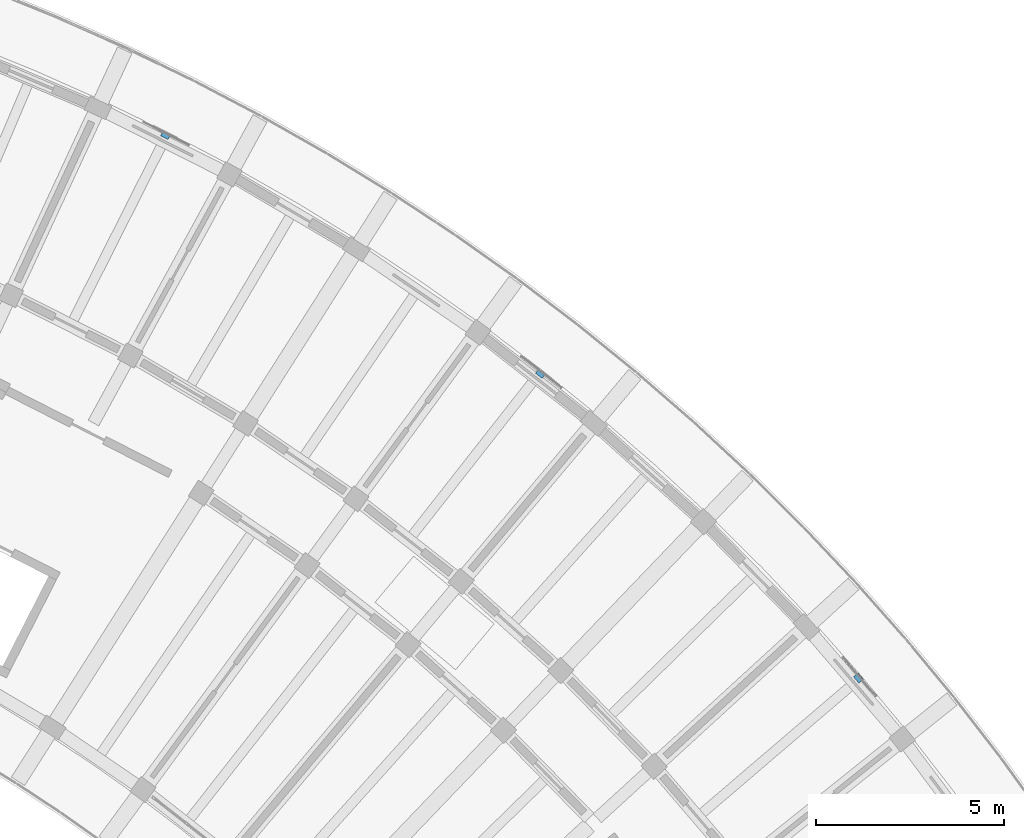
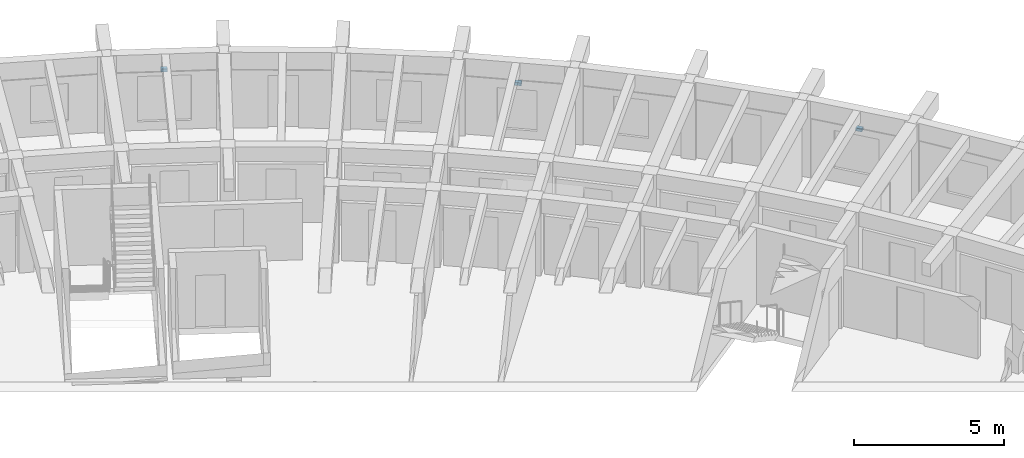
# One storey, part 41 of 56: 3 discrete accessories.
"""IFC4 building model written with IfcOpenShell, lengths in metres."""

from ifc_helpers import new_model, si_unit, direction, frame, origin, origin_2d, place, context, subcontext, project, spatial, rectangle, extrude, material, type_object, element, save


model = new_model("IFC4")

# Units and contexts
model_context = context("Model", 3, precision=1e-05, world=origin(), true_north=direction((0.0, 1.0)))
body_context = subcontext(model_context, "Body", "Model", "MODEL_VIEW")
ifc_project = project(units=[si_unit("LENGTHUNIT", "METRE"), si_unit("AREAUNIT", "SQUARE_METRE"), si_unit("VOLUMEUNIT", "CUBIC_METRE"), si_unit("PLANEANGLEUNIT", "RADIAN"), si_unit("MASSUNIT", "GRAM", prefix="KILO")], contexts=[model_context])

# Site, building, storey
site_placement = place(None, origin())
site = spatial("IfcSite", under=ifc_project, at=site_placement, CompositionType="ELEMENT")
building_placement = place(site_placement, origin())
building = spatial("IfcBuilding", under=site, at=building_placement, Name="Tanwirah Colonnade Gardens", CompositionType="ELEMENT")
storey_placement = place(building_placement, frame((0.0, 0.0, 29.0)))
storey = spatial("IfcBuildingStorey", under=building, at=storey_placement, Name="L08", CompositionType="ELEMENT", Elevation=29.0)

# Discrete accessories
ifc_material = material(Name="Steel S355", Category="steel")
discrete_accessory_type = type_object("IfcDiscreteAccessoryType", Name="BRK-SS1", PredefinedType="BRACKET", material=ifc_material)
for number, where, z_axis, x_axis, name in (
    (1, (166.331298828125, 99.02880859375, 2.0849609375), (0.0, 0.0, 1.0), (-0.650186200632, 0.759774903842, 0.0), "Solar screen support bracket B-L08-06"),
    (2, (157.860107421875, 107.146240234375, 2.0), (0.0, 0.0, 1.0), (-0.786815552397, 0.617188209954, 0.0), "Solar screen support bracket B-L08-09"),
    (3, (147.86669921875, 113.499267578125, 2.199951171875), (0.0, 0.0, 1.0), (-0.892760337433, 0.450531885561, 0.0), "Solar screen support bracket B-L08-12"),
):
    element("IfcDiscreteAccessory", number, at=place(storey_placement, frame(where, z_axis=z_axis, x_axis=x_axis)), inside=storey, type_object=discrete_accessory_type, Name=name, PredefinedType="BRACKET", context=body_context, shape_type="SweptSolid", body=[
        extrude(rectangle(XDim=0.219970703125, YDim=0.159912109375, at=origin_2d()), origin(), (0.0, 0.0, 1.0), 0.1201171875),
    ])

save(model, "model.ifc")
